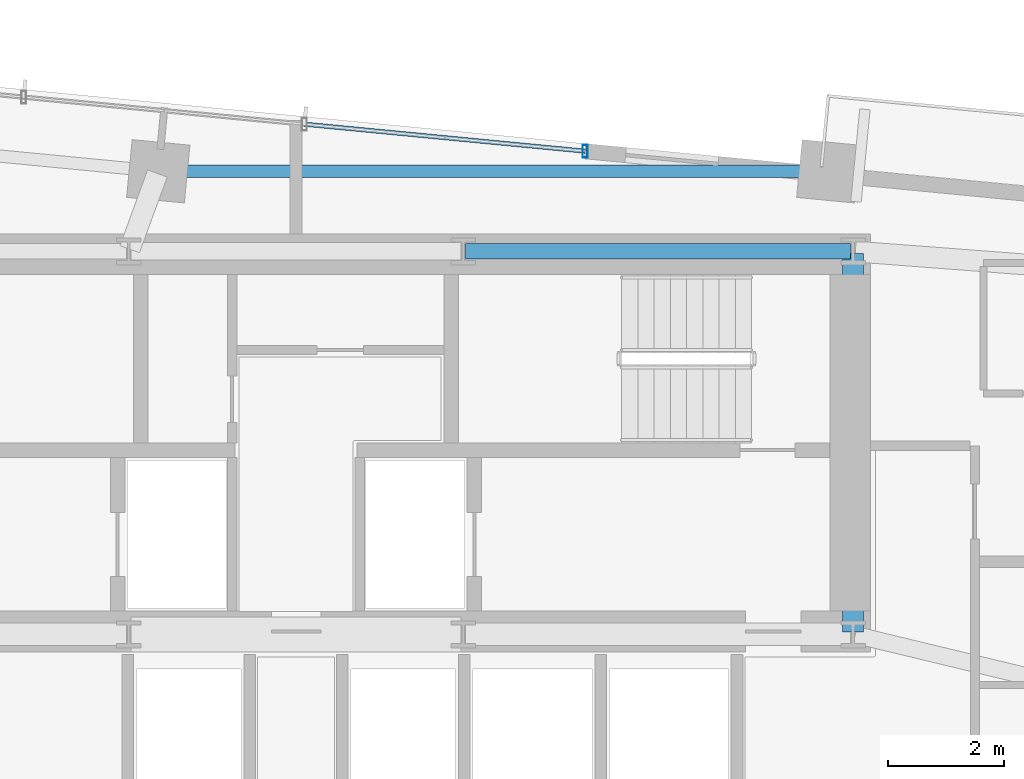
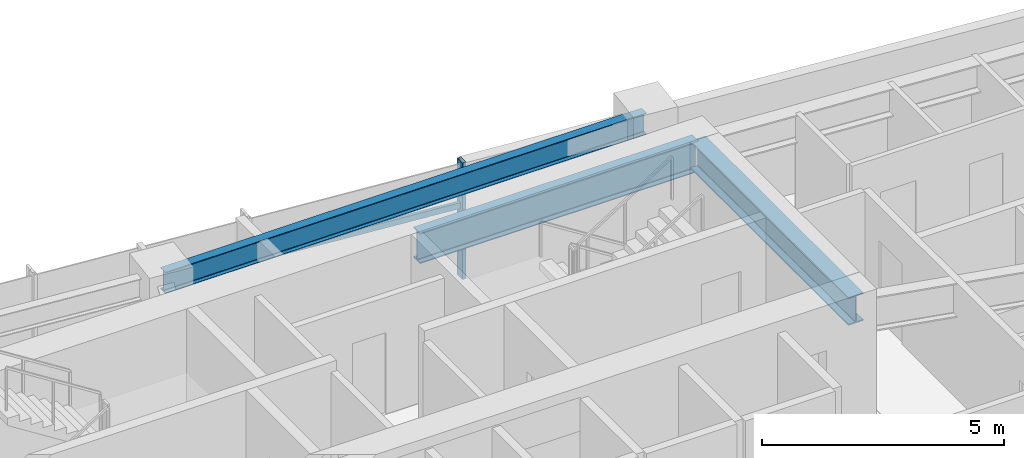
# One storey, part 12 of 20: 3 beams, 2 members, 1 element without a shape of its own.
"""IFC4 building model written with IfcOpenShell, lengths in metres."""

from ifc_helpers import new_model, si_unit, direction, frame, origin, origin_2d, place, context, subcontext, project, spatial, hollow_rectangle, i_section, extrude, source, transform, mapped, material, material_profile, profile_set, type_object, type_shapes, element, aggregate, save


model = new_model("IFC4")

# Units and contexts
model_context = context("Model", 3, precision=1e-05, world=origin(), true_north=direction((0.0, 1.0)))
body_context = subcontext(model_context, "Body", "Model", "MODEL_VIEW")
ifc_project = project(units=[si_unit("LENGTHUNIT", "METRE"), si_unit("AREAUNIT", "SQUARE_METRE"), si_unit("VOLUMEUNIT", "CUBIC_METRE"), si_unit("PLANEANGLEUNIT", "RADIAN"), si_unit("MASSUNIT", "GRAM", prefix="KILO")], contexts=[model_context])

# Site, building, storey
site_placement = place(None, origin())
site = spatial("IfcSite", under=ifc_project, at=site_placement, CompositionType="ELEMENT")
building_placement = place(site_placement, origin())
building = spatial("IfcBuilding", under=site, at=building_placement, Name="Astriad Promenade Condominiums", CompositionType="ELEMENT")
storey_placement = place(building_placement, frame((0.0, 0.0, 156.60009765625)))
storey = spatial("IfcBuildingStorey", under=building, at=storey_placement, Name="L45", CompositionType="ELEMENT", Elevation=156.60009765625)

# Beams
ifc_material_1 = material(Name="Steel ASTM A992 Grade 50", Category="steel")
ifc_material_profile_1 = material_profile(ifc_material_1, i_section(OverallWidth=0.267822265625, OverallDepth=0.76953125, WebThickness=0.015625, FlangeThickness=0.025390625, FilletRadius=0.021484375, at=origin_2d()), Name="W30X132")
ifc_profile_set_1 = profile_set([ifc_material_profile_1], Name="Steel ASTM A992 Grade 50")
beam_type_1 = type_object("IfcBeamType", Name="STEEL FLOOR GIRDER W30X132", PredefinedType="BEAM", material=ifc_profile_set_1)
shared_shape_1 = source(origin(), body_context, "Body", "SweptSolid", [
    extrude(i_section(OverallWidth=0.267822265625, OverallDepth=0.76953125, WebThickness=0.015625, FlangeThickness=0.025390625, FilletRadius=0.021484375, at=origin_2d()), origin(), (0.0, 0.0, 1.0), 6.64013671875),
])
type_shapes(beam_type_1, [shared_shape_1])
beam_1_placement = place(storey_placement, frame((38.919921875, 24.0, 2.55517578125), z_axis=(1.0, 0.0, 0.0), x_axis=(0.0, 1.0, 0.0)))
element("IfcBeam", 1, at=beam_1_placement, inside=storey, type_object=beam_type_1, Name="Core Ring Beam CG-N3-L45", PredefinedType="BEAM", context=body_context, shape_type="MappedRepresentation", body=[
    mapped(shared_shape_1, transform((0.0, 0.0, 0.0), scale=1.0)),
])
ifc_material_profile_2 = material_profile(ifc_material_1, i_section(OverallWidth=0.35791015625, OverallDepth=0.706298828125, WebThickness=0.018310546875, FlangeThickness=0.0302734375, FilletRadius=0.020263671875, at=origin_2d()), Name="W27X178")
ifc_profile_set_2 = profile_set([ifc_material_profile_2], Name="Steel ASTM A992 Grade 50")
beam_type_2 = type_object("IfcBeamType", Name="STEEL FLOOR GIRDER W27X178", PredefinedType="BEAM", material=ifc_profile_set_2)
shared_shape_2 = source(origin(), body_context, "Body", "SweptSolid", [
    extrude(i_section(OverallWidth=0.35791015625, OverallDepth=0.706298828125, WebThickness=0.018310546875, FlangeThickness=0.0302734375, FilletRadius=0.020263671875, at=origin_2d()), origin(), (0.0, 0.0, 1.0), 6.52001953125),
])
type_shapes(beam_type_2, [shared_shape_2])
beam_2_placement = place(storey_placement, frame((45.60009765625, 17.43994140625, 2.586669921875), z_axis=(0.0, 1.0, 0.0), x_axis=(-1.0, 0.0, 0.0)))
element("IfcBeam", 2, at=beam_2_placement, inside=storey, type_object=beam_type_2, Name="Core Ring Beam CG-E1-L45", PredefinedType="BEAM", context=body_context, shape_type="MappedRepresentation", body=[
    mapped(shared_shape_2, transform((0.0, 0.0, 0.0), scale=1.0)),
])
ifc_material_profile_3 = material_profile(ifc_material_1, i_section(OverallWidth=0.210693359375, OverallDepth=0.53955078125, WebThickness=0.01171875, FlangeThickness=0.018798828125, FilletRadius=0.0166015625, at=origin_2d()), Name="W21X73")
ifc_profile_set_3 = profile_set([ifc_material_profile_3], Name="Steel ASTM A992 Grade 50")
beam_type_3 = type_object("IfcBeamType", Name="STEEL SPANDREL BEAM W21X73", PredefinedType="SPANDREL", material=ifc_profile_set_3)
shared_shape_3 = source(origin(), body_context, "Body", "SweptSolid", [
    extrude(i_section(OverallWidth=0.210693359375, OverallDepth=0.53955078125, WebThickness=0.01171875, FlangeThickness=0.018798828125, FilletRadius=0.0166015625, at=origin_2d()), origin(), (0.0, 0.0, 1.0), 11.466552734375),
])
type_shapes(beam_type_3, [shared_shape_3])
beam_3_placement = place(storey_placement, frame((45.1328125, 25.3798828125, 2.670166015625), z_axis=(-0.999999999093, 4.258309e-05, 0.0), x_axis=(-4.258309e-05, -0.999999999093, 0.0)))
element("IfcBeam", 3, at=beam_3_placement, inside=storey, type_object=beam_type_3, Name="Perimeter Spandrel Beam SP-N3-L45", PredefinedType="SPANDREL", context=body_context, shape_type="MappedRepresentation", body=[
    mapped(shared_shape_3, transform((0.0, 0.0, 0.0), scale=1.0)),
])

# Curtain wall, members
ifc_material_2 = material(Name="Anodised aluminium Black Dark Glass Unitised", Category="aluminium")
curtain_wall_type = type_object("IfcCurtainWallType", Name="CW-B34-DARK", PredefinedType="USERDEFINED", material=ifc_material_2)
curtain_wall_placement = place(storey_placement, origin())
curtain_wall = element("IfcCurtainWall", 4, at=curtain_wall_placement, inside=storey, type_object=curtain_wall_type, Name="CW-L45-N", ObjectType="UNITISED_CURTAIN_WALL", PredefinedType="USERDEFINED")
ifc_material_3 = material(Name="Anodised aluminium 6063-T6 Black", Category="aluminium")
ifc_material_profile_4 = material_profile(ifc_material_3, hollow_rectangle(XDim=0.0849609375, YDim=0.219970703125, WallThickness=0.0048828125, at=origin_2d()), Name="ALU-MUL-85X220")
ifc_profile_set_4 = profile_set([ifc_material_profile_4], Name="Anodised aluminium 6063-T6 Black")
member_type_1 = type_object("IfcMemberType", Name="MUL-ALU-MUL-85X220", PredefinedType="MULLION", material=ifc_profile_set_4)
shared_shape_4 = source(origin(), body_context, "Body", "SweptSolid", [
    extrude(hollow_rectangle(XDim=0.0849609375, YDim=0.219970703125, WallThickness=0.0048828125, at=origin_2d()), origin(), (0.0, 0.0, 1.0), 2.93994140625),
])
type_shapes(member_type_1, [shared_shape_4])
member_1_placement = place(storey_placement, frame((40.9833984375, 25.726806640625, 0.0), z_axis=(0.0, 0.0, 1.0), x_axis=(1.0, 0.0, 0.0)))
member_1 = element("IfcMember", 5, at=member_1_placement, type_object=member_type_1, Name="CW-L45-N-MUL-03", PredefinedType="MULLION", context=body_context, shape_type="MappedRepresentation", body=[
    mapped(shared_shape_4, transform((0.0, 0.0, 0.0), scale=1.0)),
])
ifc_material_profile_5 = material_profile(ifc_material_3, hollow_rectangle(XDim=0.074951171875, YDim=0.14990234375, WallThickness=0.004150390625, at=origin_2d()), Name="ALU-TRN-75X150")
ifc_profile_set_5 = profile_set([ifc_material_profile_5], Name="Anodised aluminium 6063-T6 Black")
member_type_2 = type_object("IfcMemberType", Name="TRN-ALU-TRN-75X150", PredefinedType="USERDEFINED", material=ifc_profile_set_5)
shared_shape_5 = source(origin(), body_context, "Body", "SweptSolid", [
    extrude(hollow_rectangle(XDim=0.074951171875, YDim=0.14990234375, WallThickness=0.004150390625, at=origin_2d()), origin(), (0.0, 0.0, 1.0), 4.860107421875),
])
type_shapes(member_type_2, [shared_shape_5])
member_2_placement = place(storey_placement, frame((36.145751953125, 26.1923828125, 1.82275390625), z_axis=(0.995400834012, -0.095797597298, 0.0), x_axis=(0.095797597298, 0.995400834012, 0.0)))
member_2 = element("IfcMember", 6, at=member_2_placement, type_object=member_type_2, Name="CW-L45-N-TRN-02-0", ObjectType="TRANSOM", PredefinedType="USERDEFINED", context=body_context, shape_type="MappedRepresentation", body=[
    mapped(shared_shape_5, transform((0.0, 0.0, 0.0), scale=1.0)),
])
aggregate(curtain_wall, [member_1, member_2])

save(model, "model.ifc")
